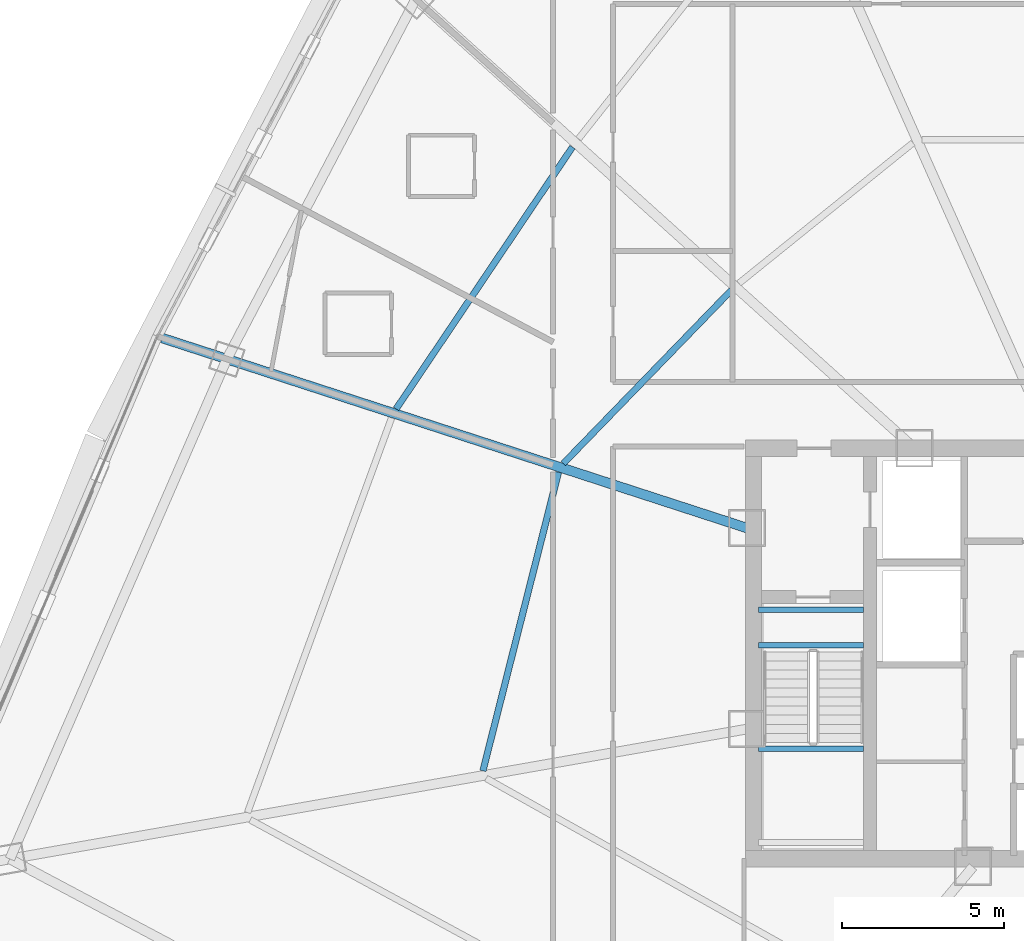
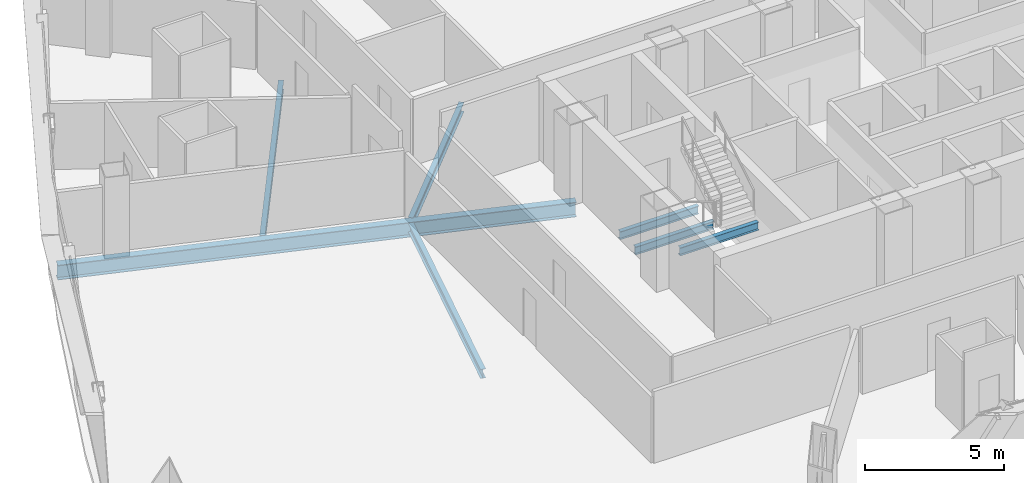
# One storey, part 9 of 40: 7 beams.
"""IFC4 building model written with IfcOpenShell, lengths in metres."""

from ifc_helpers import new_model, si_unit, direction, frame, origin, origin_2d, place, context, subcontext, project, spatial, i_section, extrude, source, transform, mapped, material, material_profile, profile_set, type_object, element, save


model = new_model("IFC4")

# Units and contexts
model_context = context("Model", 3, precision=1e-05, world=origin(), true_north=direction((0.0, 1.0)))
body_context = subcontext(model_context, "Body", "Model", "MODEL_VIEW")
ifc_project = project(units=[si_unit("LENGTHUNIT", "METRE"), si_unit("AREAUNIT", "SQUARE_METRE"), si_unit("VOLUMEUNIT", "CUBIC_METRE"), si_unit("PLANEANGLEUNIT", "RADIAN"), si_unit("MASSUNIT", "GRAM", prefix="KILO"), si_unit("THERMODYNAMICTEMPERATUREUNIT", "KELVIN"), si_unit("POWERUNIT", "WATT")], contexts=[model_context])

# Site, building, storey
site_placement = place(None, origin())
site = spatial("IfcSite", under=ifc_project, at=site_placement, CompositionType="ELEMENT")
building_placement = place(site_placement, origin())
building = spatial("IfcBuilding", under=site, at=building_placement, Name="Yunzhuo Pagoda Commons", CompositionType="ELEMENT")
storey_placement = place(building_placement, frame((0.0, 0.0, 184.760009765625)))
storey = spatial("IfcBuildingStorey", under=building, at=storey_placement, Name="L46", CompositionType="ELEMENT", Elevation=184.760009765625)

# Beams
ifc_material = material(Name="Structural steel Q355B", Category="steel")
ifc_material_profile_1 = material_profile(ifc_material, i_section(OverallWidth=0.175048828125, OverallDepth=0.35009765625, WebThickness=0.007080078125, FlangeThickness=0.010986328125, at=origin_2d()), Name="Structural steel Q355B")
ifc_profile_set_1 = profile_set([ifc_material_profile_1], Name="Structural steel Q355B")
beam_type_1 = type_object("IfcBeamType", Name="B-JS2 Joist HN 350x175x7x11", PredefinedType="JOIST", material=ifc_profile_set_1)
shared_shape_1 = source(origin(), body_context, "Body", "SweptSolid", [
    extrude(i_section(OverallWidth=0.175048828125, OverallDepth=0.35009765625, WebThickness=0.007080078125, FlangeThickness=0.010986328125, at=origin_2d()), origin(), (0.0, 0.0, 1.0), 3.25),
])
for number, where, z_axis, x_axis, name in (
    (1, (35.949951171875, 30.89990234375, 1.52490234375), (1.0, 0.0, 0.0), (0.0, 1.0, 0.0), "L46 ST1 landing support beam 52B"),
    (2, (35.949951171875, 34.10009765625, -0.375), (1.0, 0.0, 0.0), (0.0, 1.0, 0.0), "L46 ST1 landing support beam 150A"),
    (3, (35.949951171875, 35.199951171875, -0.375), (1.0, 0.0, 0.0), (0.0, 1.0, 0.0), "L46 ST1 landing support beam 150B"),
):
    element("IfcBeam", number, at=place(storey_placement, frame(where, z_axis=z_axis, x_axis=x_axis)), inside=storey, type_object=beam_type_1, Name=name, PredefinedType="JOIST", context=body_context, shape_type="MappedRepresentation", body=[
        mapped(shared_shape_1, transform((0.0, 0.0, 0.0), scale=1.0)),
    ])
ifc_material_profile_2 = material_profile(ifc_material, i_section(OverallWidth=0.300048828125, OverallDepth=0.64990234375, WebThickness=0.012939453125, FlangeThickness=0.02197265625, at=origin_2d()), Name="Structural steel Q355B")
ifc_profile_set_2 = profile_set([ifc_material_profile_2], Name="Structural steel Q355B")
beam_type_2 = type_object("IfcBeamType", Name="B-RG2 Beam HN 650x300x13x22", PredefinedType="BEAM", material=ifc_profile_set_2)
shared_shape_2 = source(origin(), body_context, "Body", "SweptSolid", [
    extrude(i_section(OverallWidth=0.300048828125, OverallDepth=0.64990234375, WebThickness=0.012939453125, FlangeThickness=0.02197265625, at=origin_2d()), origin(), (0.0, 0.0, 1.0), 19.029296875),
])
beam_1_placement = place(storey_placement, frame((17.502197265625, 43.609375, -0.5849609375), z_axis=(0.95105641133, -0.309017317424, 0.0), x_axis=(0.309017317424, 0.95105641133, 0.0)))
element("IfcBeam", 4, at=beam_1_placement, inside=storey, type_object=beam_type_2, Name="L46 radial floor girder F3C3", PredefinedType="BEAM", context=body_context, shape_type="MappedRepresentation", body=[
    mapped(shared_shape_2, transform((0.0, 0.0, 0.0), scale=1.0)),
])
ifc_material_profile_3 = material_profile(ifc_material, i_section(OverallWidth=0.199951171875, OverallDepth=0.39990234375, WebThickness=0.008056640625, FlangeThickness=0.012939453125, at=origin_2d()), Name="Structural steel Q355B")
ifc_profile_set_3 = profile_set([ifc_material_profile_3], Name="Structural steel Q355B")
beam_type_3 = type_object("IfcBeamType", Name="B-JS1 Joist HN 400x200x8x13", PredefinedType="JOIST", material=ifc_profile_set_3)
shared_shape_3 = source(origin(), body_context, "Body", "SweptSolid", [
    extrude(i_section(OverallWidth=0.199951171875, OverallDepth=0.39990234375, WebThickness=0.008056640625, FlangeThickness=0.012939453125, at=origin_2d()), origin(), (0.0, 0.0, 1.0), 9.529052734375),
])
beam_2_placement = place(storey_placement, frame((29.766845703125, 39.457763671875, -0.4599609375), z_axis=(-0.245367921097, -0.969430030119, 0.0), x_axis=(0.969430030119, -0.245367921097, 0.0)))
element("IfcBeam", 5, at=beam_2_placement, inside=storey, type_object=beam_type_3, Name="L46 composite ring joist 1.11", PredefinedType="JOIST", context=body_context, shape_type="MappedRepresentation", body=[
    mapped(shared_shape_3, transform((0.0, 0.0, 0.0), scale=1.0)),
])
shared_shape_4 = source(origin(), body_context, "Body", "SweptSolid", [
    extrude(i_section(OverallWidth=0.199951171875, OverallDepth=0.39990234375, WebThickness=0.008056640625, FlangeThickness=0.012939453125, at=origin_2d()), origin(), (0.0, 0.0, 1.0), 7.46826171875),
])
beam_3_placement = place(storey_placement, frame((35.114990234375, 45.087890625, -0.4599609375), z_axis=(-0.696070782679, -0.717973164889, 0.0), x_axis=(0.717973164889, -0.696070782679, 0.0)))
element("IfcBeam", 6, at=beam_3_placement, inside=storey, type_object=beam_type_3, Name="L46 composite ring joist 1.10", PredefinedType="JOIST", context=body_context, shape_type="MappedRepresentation", body=[
    mapped(shared_shape_4, transform((0.0, 0.0, 0.0), scale=1.0)),
])
shared_shape_5 = source(origin(), body_context, "Body", "SweptSolid", [
    extrude(i_section(OverallWidth=0.199951171875, OverallDepth=0.39990234375, WebThickness=0.008056640625, FlangeThickness=0.012939453125, at=origin_2d()), origin(), (0.0, 0.0, 1.0), 9.764892578125),
])
beam_4_placement = place(storey_placement, frame((30.198486328125, 49.5166015625, -0.4599609375), z_axis=(-0.558548425455, -0.829471914185, 0.0), x_axis=(0.829471914185, -0.558548425455, 0.0)))
element("IfcBeam", 7, at=beam_4_placement, inside=storey, type_object=beam_type_3, Name="L46 composite ring joist 2.10", PredefinedType="JOIST", context=body_context, shape_type="MappedRepresentation", body=[
    mapped(shared_shape_5, transform((0.0, 0.0, 0.0), scale=1.0)),
])

save(model, "model.ifc")
